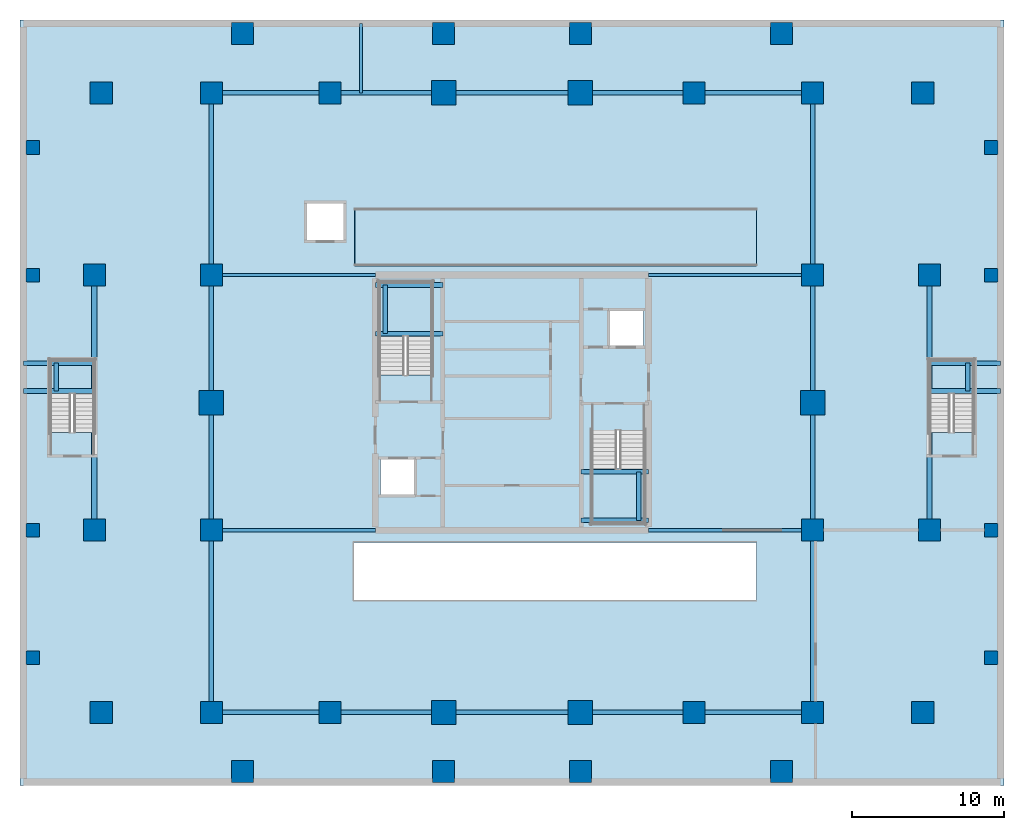
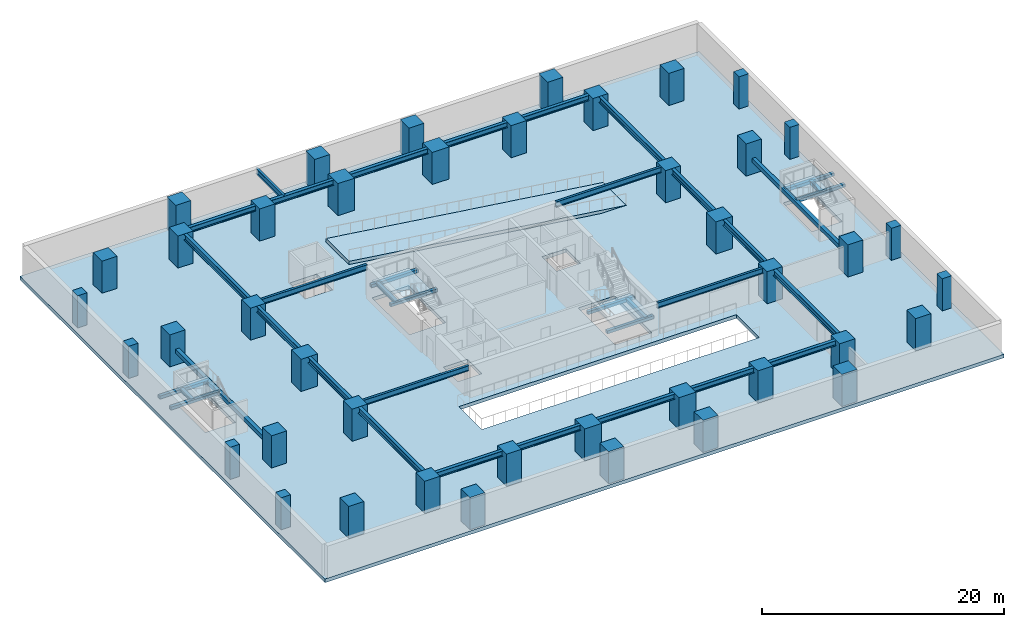
# One storey, part 1 of 10: 42 columns, 37 beams, 6 slabs, 4 elements without a shape of their own.
"""IFC4 building model written with IfcOpenShell, lengths in metres."""

from ifc_helpers import new_model, si_unit, direction, frame, origin, origin_2d, place, context, subcontext, project, spatial, polyline, rectangle, i_section, outline, extrude, source, transform, mapped, material, layer, layer_set, material_profile, profile_set, type_object, element, aggregate, save


model = new_model("IFC4")

# Units and contexts
model_context = context("Model", 3, precision=1e-05, world=origin(), true_north=direction((0.0, 1.0)))
body_context = subcontext(model_context, "Body", "Model", "MODEL_VIEW")
ifc_project = project(units=[si_unit("LENGTHUNIT", "METRE"), si_unit("AREAUNIT", "SQUARE_METRE"), si_unit("VOLUMEUNIT", "CUBIC_METRE"), si_unit("PLANEANGLEUNIT", "RADIAN"), si_unit("MASSUNIT", "GRAM", prefix="KILO")], contexts=[model_context])

# Site, building, storey
site_placement = place(None, origin())
site = spatial("IfcSite", under=ifc_project, at=site_placement, CompositionType="ELEMENT")
building_placement = place(site_placement, origin())
building = spatial("IfcBuilding", under=site, at=building_placement, Name="Serunith Strait Residences", CompositionType="ELEMENT")
storey_placement = place(building_placement, frame((0.0, 0.0, -7.199951171875)))
storey = spatial("IfcBuildingStorey", under=building, at=storey_placement, Name="B02", CompositionType="ELEMENT", Elevation=-7.199951171875)

# Columns
ifc_material_1 = material(Name="Concrete C70/85", Category="concrete")
ifc_material_profile_1 = material_profile(ifc_material_1, rectangle(XDim=0.89990234375, YDim=0.89990234375, at=origin_2d()), Name="RC 900x900")
ifc_profile_set_1 = profile_set([ifc_material_profile_1], Name="Concrete C70/85")
column_type_1 = type_object("IfcColumnType", Name="COL-RC-900", PredefinedType="COLUMN", material=ifc_profile_set_1)
shared_shape_1 = source(origin(), body_context, "Body", "SweptSolid", [
    extrude(rectangle(XDim=0.89990234375, YDim=0.89990234375, at=origin_2d()), origin(), (0.0, 0.0, 1.0), 3.60009765625),
])
for number, where, z_axis, x_axis, name in (
    (1, (0.85009765625, 8.39990234375, -0.360107421875), (0.0, 0.0, 1.0), (1.0, 0.0, 0.0), "B02 Podium Column PC-W1"),
    (2, (0.85009765625, 16.800048828125, -0.360107421875), (0.0, 0.0, 1.0), (1.0, 0.0, 0.0), "B02 Podium Column PC-W2"),
    (3, (0.85009765625, 33.60009765625, -0.360107421875), (0.0, 0.0, 1.0), (1.0, 0.0, 0.0), "B02 Podium Column PC-W3"),
    (4, (0.85009765625, 42.0, -0.360107421875), (0.0, 0.0, 1.0), (1.0, 0.0, 0.0), "B02 Podium Column PC-W4"),
    (5, (63.949951171875, 8.39990234375, -0.360107421875), (0.0, 0.0, 1.0), (1.0, 0.0, 0.0), "B02 Podium Column PC-E1"),
    (6, (63.949951171875, 16.800048828125, -0.360107421875), (0.0, 0.0, 1.0), (1.0, 0.0, 0.0), "B02 Podium Column PC-E2"),
    (7, (63.949951171875, 33.60009765625, -0.360107421875), (0.0, 0.0, 1.0), (1.0, 0.0, 0.0), "B02 Podium Column PC-E3"),
    (8, (63.949951171875, 42.0, -0.360107421875), (0.0, 0.0, 1.0), (1.0, 0.0, 0.0), "B02 Podium Column PC-E4"),
):
    element("IfcColumn", number, at=place(storey_placement, frame(where, z_axis=z_axis, x_axis=x_axis)), inside=storey, type_object=column_type_1, Name=name, PredefinedType="COLUMN", context=body_context, shape_type="MappedRepresentation", body=[
        mapped(shared_shape_1, transform((0.0, 0.0, 0.0), scale=1.0)),
    ])
ifc_material_2 = material(Name="Concrete C90/105", Category="concrete")
ifc_material_profile_2 = material_profile(ifc_material_2, rectangle(XDim=1.449951171875, YDim=1.449951171875, at=origin_2d()), Name="RC 1450x1450")
ifc_profile_set_2 = profile_set([ifc_material_profile_2], Name="Concrete C90/105")
column_type_2 = type_object("IfcColumnType", Name="COL-RC-1450", PredefinedType="COLUMN", material=ifc_profile_set_2)
shared_shape_2 = source(origin(), body_context, "Body", "SweptSolid", [
    extrude(rectangle(XDim=1.449951171875, YDim=1.449951171875, at=origin_2d()), origin(), (0.0, 0.0, 1.0), 3.60009765625),
])
for number, where, z_axis, x_axis, name in (
    (9, (12.60009765625, 4.800048828125, -0.360107421875), (0.0, 0.0, 1.0), (1.0, 0.0, 0.0), "B02 Podium Column PC-S1"),
    (10, (20.39990234375, 4.800048828125, -0.360107421875), (0.0, 0.0, 1.0), (1.0, 0.0, 0.0), "B02 Podium Column PC-S2"),
    (11, (44.39990234375, 4.800048828125, -0.360107421875), (0.0, 0.0, 1.0), (1.0, 0.0, 0.0), "B02 Podium Column PC-S5"),
    (12, (52.199951171875, 4.800048828125, -0.360107421875), (0.0, 0.0, 1.0), (1.0, 0.0, 0.0), "B02 Podium Column PC-S6"),
    (13, (12.60009765625, 45.60009765625, -0.360107421875), (0.0, 0.0, 1.0), (1.0, 0.0, 0.0), "B02 Podium Column PC-N1"),
    (14, (20.39990234375, 45.60009765625, -0.360107421875), (0.0, 0.0, 1.0), (1.0, 0.0, 0.0), "B02 Podium Column PC-N2"),
    (15, (44.39990234375, 45.60009765625, -0.360107421875), (0.0, 0.0, 1.0), (1.0, 0.0, 0.0), "B02 Podium Column PC-N5"),
    (16, (52.199951171875, 45.60009765625, -0.360107421875), (0.0, 0.0, 1.0), (1.0, 0.0, 0.0), "B02 Podium Column PC-N6"),
    (17, (12.60009765625, 16.800048828125, -0.360107421875), (0.0, 0.0, 1.0), (1.0, 0.0, 0.0), "B02 Podium Column PC-MW1"),
    (18, (12.60009765625, 33.60009765625, -0.360107421875), (0.0, 0.0, 1.0), (1.0, 0.0, 0.0), "B02 Podium Column PC-MW3"),
    (19, (52.199951171875, 16.800048828125, -0.360107421875), (0.0, 0.0, 1.0), (1.0, 0.0, 0.0), "B02 Podium Column PC-ME1"),
    (20, (52.199951171875, 33.60009765625, -0.360107421875), (0.0, 0.0, 1.0), (1.0, 0.0, 0.0), "B02 Podium Column PC-ME3"),
    (21, (14.64990234375, 0.89990234375, -0.360107421875), (0.0, 0.0, 1.0), (1.0, 0.0, 0.0), "B02 Podium Column PC-RS1"),
    (22, (27.89990234375, 0.89990234375, -0.360107421875), (0.0, 0.0, 1.0), (1.0, 0.0, 0.0), "B02 Podium Column PC-RS2"),
    (23, (36.89990234375, 0.89990234375, -0.360107421875), (0.0, 0.0, 1.0), (1.0, 0.0, 0.0), "B02 Podium Column PC-RS3"),
    (24, (50.14990234375, 0.89990234375, -0.360107421875), (0.0, 0.0, 1.0), (1.0, 0.0, 0.0), "B02 Podium Column PC-RS4"),
    (25, (14.64990234375, 49.5, -0.360107421875), (0.0, 0.0, 1.0), (1.0, 0.0, 0.0), "B02 Podium Column PC-RN1"),
    (26, (27.89990234375, 49.5, -0.360107421875), (0.0, 0.0, 1.0), (1.0, 0.0, 0.0), "B02 Podium Column PC-RN2"),
    (27, (36.89990234375, 49.5, -0.360107421875), (0.0, 0.0, 1.0), (1.0, 0.0, 0.0), "B02 Podium Column PC-RN3"),
    (28, (50.14990234375, 49.5, -0.360107421875), (0.0, 0.0, 1.0), (1.0, 0.0, 0.0), "B02 Podium Column PC-RN4"),
    (29, (4.89990234375, 16.800048828125, -0.360107421875), (0.0, 0.0, 1.0), (1.0, 0.0, 0.0), "B02 Podium Column PC-RW1"),
    (30, (4.89990234375, 33.60009765625, -0.360107421875), (0.0, 0.0, 1.0), (1.0, 0.0, 0.0), "B02 Podium Column PC-RW2"),
    (31, (59.89990234375, 16.800048828125, -0.360107421875), (0.0, 0.0, 1.0), (1.0, 0.0, 0.0), "B02 Podium Column PC-RE1"),
    (32, (59.89990234375, 33.60009765625, -0.360107421875), (0.0, 0.0, 1.0), (1.0, 0.0, 0.0), "B02 Podium Column PC-RE2"),
    (33, (5.35009765625, 4.800048828125, -0.360107421875), (0.0, 0.0, 1.0), (1.0, 0.0, 0.0), "B02 Podium Column PC-RWS"),
    (34, (5.35009765625, 45.60009765625, -0.360107421875), (0.0, 0.0, 1.0), (1.0, 0.0, 0.0), "B02 Podium Column PC-RWN"),
    (35, (59.449951171875, 4.800048828125, -0.360107421875), (0.0, 0.0, 1.0), (1.0, 0.0, 0.0), "B02 Podium Column PC-RES"),
    (36, (59.449951171875, 45.60009765625, -0.360107421875), (0.0, 0.0, 1.0), (1.0, 0.0, 0.0), "B02 Podium Column PC-REN"),
):
    element("IfcColumn", number, at=place(storey_placement, frame(where, z_axis=z_axis, x_axis=x_axis)), inside=storey, type_object=column_type_2, Name=name, PredefinedType="COLUMN", context=body_context, shape_type="MappedRepresentation", body=[
        mapped(shared_shape_2, transform((0.0, 0.0, 0.0), scale=1.0)),
    ])
ifc_material_profile_3 = material_profile(ifc_material_2, rectangle(XDim=1.60009765625, YDim=1.60009765625, at=origin_2d()), Name="RC 1600x1600")
ifc_profile_set_3 = profile_set([ifc_material_profile_3], Name="Concrete C90/105")
column_type_3 = type_object("IfcColumnType", Name="COL-RC-1600", PredefinedType="COLUMN", material=ifc_profile_set_3)
shared_shape_3 = source(origin(), body_context, "Body", "SweptSolid", [
    extrude(rectangle(XDim=1.60009765625, YDim=1.60009765625, at=origin_2d()), origin(), (0.0, 0.0, 1.0), 3.60009765625),
])
for number, where, z_axis, x_axis, name in (
    (37, (27.89990234375, 4.800048828125, -0.360107421875), (0.0, 0.0, 1.0), (1.0, 0.0, 0.0), "B02 Podium Column PC-S3"),
    (38, (36.89990234375, 4.800048828125, -0.360107421875), (0.0, 0.0, 1.0), (1.0, 0.0, 0.0), "B02 Podium Column PC-S4"),
    (39, (27.89990234375, 45.60009765625, -0.360107421875), (0.0, 0.0, 1.0), (1.0, 0.0, 0.0), "B02 Podium Column PC-N3"),
    (40, (36.89990234375, 45.60009765625, -0.360107421875), (0.0, 0.0, 1.0), (1.0, 0.0, 0.0), "B02 Podium Column PC-N4"),
    (41, (12.60009765625, 25.199951171875, -0.360107421875), (0.0, 0.0, 1.0), (1.0, 0.0, 0.0), "B02 Podium Column PC-MW2"),
    (42, (52.199951171875, 25.199951171875, -0.360107421875), (0.0, 0.0, 1.0), (1.0, 0.0, 0.0), "B02 Podium Column PC-ME2"),
):
    element("IfcColumn", number, at=place(storey_placement, frame(where, z_axis=z_axis, x_axis=x_axis)), inside=storey, type_object=column_type_3, Name=name, PredefinedType="COLUMN", context=body_context, shape_type="MappedRepresentation", body=[
        mapped(shared_shape_3, transform((0.0, 0.0, 0.0), scale=1.0)),
    ])

# Beams
ifc_material_3 = material(Name="Steel S355J2", Category="steel")
ifc_material_profile_4 = material_profile(ifc_material_3, i_section(OverallWidth=0.300048828125, OverallDepth=0.550048828125, WebThickness=0.014892578125, FlangeThickness=0.029052734375, FilletRadius=0.027099609375, at=origin_2d()), Name="HEB 550")
ifc_profile_set_4 = profile_set([ifc_material_profile_4], Name="Steel S355J2")
beam_type_1 = type_object("IfcBeamType", Name="BM-HEB550", PredefinedType="BEAM", material=ifc_profile_set_4)
shared_shape_4 = source(origin(), body_context, "Body", "SweptSolid", [
    extrude(i_section(OverallWidth=0.300048828125, OverallDepth=0.550048828125, WebThickness=0.014892578125, FlangeThickness=0.029052734375, FilletRadius=0.027099609375, at=origin_2d()), origin(), (0.0, 0.0, 1.0), 7.7998046875),
])
for number, where, z_axis, x_axis, name in (
    (43, (12.60009765625, 4.800048828125, 2.9619140625), (1.0, 0.0, 0.0), (0.0, 1.0, 0.0), "BM-B02-01"),
    (44, (12.60009765625, 45.60009765625, 2.9619140625), (1.0, 0.0, 0.0), (0.0, 1.0, 0.0), "BM-B02-06"),
):
    element("IfcBeam", number, at=place(storey_placement, frame(where, z_axis=z_axis, x_axis=x_axis)), inside=storey, type_object=beam_type_1, Name=name, PredefinedType="BEAM", context=body_context, shape_type="MappedRepresentation", body=[
        mapped(shared_shape_4, transform((0.0, 0.0, 0.0), scale=1.0)),
    ])
shared_shape_5 = source(origin(), body_context, "Body", "SweptSolid", [
    extrude(i_section(OverallWidth=0.300048828125, OverallDepth=0.550048828125, WebThickness=0.014892578125, FlangeThickness=0.029052734375, FilletRadius=0.027099609375, at=origin_2d()), origin(), (0.0, 0.0, 1.0), 7.5),
])
for number, where, z_axis, x_axis, name in (
    (45, (20.39990234375, 4.800048828125, 2.9619140625), (1.0, 0.0, 0.0), (0.0, 1.0, 0.0), "BM-B02-02"),
    (46, (36.89990234375, 4.800048828125, 2.9619140625), (1.0, 0.0, 0.0), (0.0, 1.0, 0.0), "BM-B02-04"),
    (47, (20.39990234375, 45.60009765625, 2.9619140625), (1.0, 0.0, 0.0), (0.0, 1.0, 0.0), "BM-B02-07"),
    (48, (36.89990234375, 45.60009765625, 2.9619140625), (1.0, 0.0, 0.0), (0.0, 1.0, 0.0), "BM-B02-09"),
):
    element("IfcBeam", number, at=place(storey_placement, frame(where, z_axis=z_axis, x_axis=x_axis)), inside=storey, type_object=beam_type_1, Name=name, PredefinedType="BEAM", context=body_context, shape_type="MappedRepresentation", body=[
        mapped(shared_shape_5, transform((0.0, 0.0, 0.0), scale=1.0)),
    ])
shared_shape_6 = source(origin(), body_context, "Body", "SweptSolid", [
    extrude(i_section(OverallWidth=0.300048828125, OverallDepth=0.550048828125, WebThickness=0.014892578125, FlangeThickness=0.029052734375, FilletRadius=0.027099609375, at=origin_2d()), origin(), (0.0, 0.0, 1.0), 9.0),
])
for number, where, z_axis, x_axis, name in (
    (49, (27.89990234375, 4.800048828125, 2.9619140625), (1.0, 0.0, 0.0), (0.0, 1.0, 0.0), "BM-B02-03"),
    (50, (27.89990234375, 45.60009765625, 2.9619140625), (1.0, 0.0, 0.0), (0.0, 1.0, 0.0), "BM-B02-08"),
):
    element("IfcBeam", number, at=place(storey_placement, frame(where, z_axis=z_axis, x_axis=x_axis)), inside=storey, type_object=beam_type_1, Name=name, PredefinedType="BEAM", context=body_context, shape_type="MappedRepresentation", body=[
        mapped(shared_shape_6, transform((0.0, 0.0, 0.0), scale=1.0)),
    ])
shared_shape_7 = source(origin(), body_context, "Body", "SweptSolid", [
    extrude(i_section(OverallWidth=0.300048828125, OverallDepth=0.550048828125, WebThickness=0.014892578125, FlangeThickness=0.029052734375, FilletRadius=0.027099609375, at=origin_2d()), origin(), (0.0, 0.0, 1.0), 7.800048828125),
])
for number, where, z_axis, x_axis, name in (
    (51, (44.39990234375, 4.800048828125, 2.9619140625), (1.0, 0.0, 0.0), (0.0, 1.0, 0.0), "BM-B02-05"),
    (52, (44.39990234375, 45.60009765625, 2.9619140625), (1.0, 0.0, 0.0), (0.0, 1.0, 0.0), "BM-B02-10"),
):
    element("IfcBeam", number, at=place(storey_placement, frame(where, z_axis=z_axis, x_axis=x_axis)), inside=storey, type_object=beam_type_1, Name=name, PredefinedType="BEAM", context=body_context, shape_type="MappedRepresentation", body=[
        mapped(shared_shape_7, transform((0.0, 0.0, 0.0), scale=1.0)),
    ])
ifc_material_profile_5 = material_profile(ifc_material_3, i_section(OverallWidth=0.300048828125, OverallDepth=0.60009765625, WebThickness=0.015380859375, FlangeThickness=0.030029296875, FilletRadius=0.027099609375, at=origin_2d()), Name="HEB 600")
ifc_profile_set_5 = profile_set([ifc_material_profile_5], Name="Steel S355J2")
beam_type_2 = type_object("IfcBeamType", Name="BM-HEB600", PredefinedType="BEAM", material=ifc_profile_set_5)
shared_shape_8 = source(origin(), body_context, "Body", "SweptSolid", [
    extrude(i_section(OverallWidth=0.300048828125, OverallDepth=0.60009765625, WebThickness=0.015380859375, FlangeThickness=0.030029296875, FilletRadius=0.027099609375, at=origin_2d()), origin(), (0.0, 0.0, 1.0), 12.0),
])
for number, where, z_axis, x_axis, name in (
    (53, (12.60009765625, 4.800048828125, 2.93701171875), (0.0, 1.0, 0.0), (-1.0, 0.0, 0.0), "BM-B02-11"),
    (54, (12.60009765625, 33.60009765625, 2.93701171875), (0.0, 1.0, 0.0), (-1.0, 0.0, 0.0), "BM-B02-14"),
    (55, (52.199951171875, 4.800048828125, 2.93701171875), (0.0, 1.0, 0.0), (-1.0, 0.0, 0.0), "BM-B02-15"),
    (56, (52.199951171875, 33.60009765625, 2.93701171875), (0.0, 1.0, 0.0), (-1.0, 0.0, 0.0), "BM-B02-18"),
):
    element("IfcBeam", number, at=place(storey_placement, frame(where, z_axis=z_axis, x_axis=x_axis)), inside=storey, type_object=beam_type_2, Name=name, PredefinedType="BEAM", context=body_context, shape_type="MappedRepresentation", body=[
        mapped(shared_shape_8, transform((0.0, 0.0, 0.0), scale=1.0)),
    ])
shared_shape_9 = source(origin(), body_context, "Body", "SweptSolid", [
    extrude(i_section(OverallWidth=0.300048828125, OverallDepth=0.60009765625, WebThickness=0.015380859375, FlangeThickness=0.030029296875, FilletRadius=0.027099609375, at=origin_2d()), origin(), (0.0, 0.0, 1.0), 8.39990234375),
])
for number, where, z_axis, x_axis, name in (
    (57, (12.60009765625, 16.800048828125, 2.93701171875), (0.0, 1.0, 0.0), (-1.0, 0.0, 0.0), "BM-B02-12"),
    (58, (52.199951171875, 16.800048828125, 2.93701171875), (0.0, 1.0, 0.0), (-1.0, 0.0, 0.0), "BM-B02-16"),
):
    element("IfcBeam", number, at=place(storey_placement, frame(where, z_axis=z_axis, x_axis=x_axis)), inside=storey, type_object=beam_type_2, Name=name, PredefinedType="BEAM", context=body_context, shape_type="MappedRepresentation", body=[
        mapped(shared_shape_9, transform((0.0, 0.0, 0.0), scale=1.0)),
    ])
shared_shape_10 = source(origin(), body_context, "Body", "SweptSolid", [
    extrude(i_section(OverallWidth=0.300048828125, OverallDepth=0.60009765625, WebThickness=0.015380859375, FlangeThickness=0.030029296875, FilletRadius=0.027099609375, at=origin_2d()), origin(), (0.0, 0.0, 1.0), 8.400146484375),
])
for number, where, z_axis, x_axis, name in (
    (59, (12.60009765625, 25.199951171875, 2.93701171875), (0.0, 1.0, 0.0), (-1.0, 0.0, 0.0), "BM-B02-13"),
    (60, (52.199951171875, 25.199951171875, 2.93701171875), (0.0, 1.0, 0.0), (-1.0, 0.0, 0.0), "BM-B02-17"),
):
    element("IfcBeam", number, at=place(storey_placement, frame(where, z_axis=z_axis, x_axis=x_axis)), inside=storey, type_object=beam_type_2, Name=name, PredefinedType="BEAM", context=body_context, shape_type="MappedRepresentation", body=[
        mapped(shared_shape_10, transform((0.0, 0.0, 0.0), scale=1.0)),
    ])
ifc_material_profile_6 = material_profile(ifc_material_3, i_section(OverallWidth=0.2099609375, OverallDepth=0.550048828125, WebThickness=0.010986328125, FlangeThickness=0.01708984375, FilletRadius=0.02392578125, at=origin_2d()), Name="IPE 550")
ifc_profile_set_6 = profile_set([ifc_material_profile_6], Name="Steel S355J2")
beam_type_3 = type_object("IfcBeamType", Name="BM-IPE550", PredefinedType="BEAM", material=ifc_profile_set_6)
shared_shape_11 = source(origin(), body_context, "Body", "SweptSolid", [
    extrude(i_section(OverallWidth=0.2099609375, OverallDepth=0.550048828125, WebThickness=0.010986328125, FlangeThickness=0.01708984375, FilletRadius=0.02392578125, at=origin_2d()), origin(), (0.0, 0.0, 1.0), 10.7998046875),
])
for number, where, z_axis, x_axis, name in (
    (61, (12.60009765625, 16.800048828125, 2.9619140625), (1.0, 0.0, 0.0), (0.0, 1.0, 0.0), "BM-B02-19"),
    (62, (12.60009765625, 33.60009765625, 2.9619140625), (1.0, 0.0, 0.0), (0.0, 1.0, 0.0), "BM-B02-21"),
):
    element("IfcBeam", number, at=place(storey_placement, frame(where, z_axis=z_axis, x_axis=x_axis)), inside=storey, type_object=beam_type_3, Name=name, PredefinedType="BEAM", context=body_context, shape_type="MappedRepresentation", body=[
        mapped(shared_shape_11, transform((0.0, 0.0, 0.0), scale=1.0)),
    ])
shared_shape_12 = source(origin(), body_context, "Body", "SweptSolid", [
    extrude(i_section(OverallWidth=0.2099609375, OverallDepth=0.550048828125, WebThickness=0.010986328125, FlangeThickness=0.01708984375, FilletRadius=0.02392578125, at=origin_2d()), origin(), (0.0, 0.0, 1.0), 10.800048828125),
])
for number, where, z_axis, x_axis, name in (
    (63, (41.39990234375, 16.800048828125, 2.9619140625), (1.0, 0.0, 0.0), (0.0, 1.0, 0.0), "BM-B02-20"),
    (64, (41.39990234375, 33.60009765625, 2.9619140625), (1.0, 0.0, 0.0), (0.0, 1.0, 0.0), "BM-B02-22"),
):
    element("IfcBeam", number, at=place(storey_placement, frame(where, z_axis=z_axis, x_axis=x_axis)), inside=storey, type_object=beam_type_3, Name=name, PredefinedType="BEAM", context=body_context, shape_type="MappedRepresentation", body=[
        mapped(shared_shape_12, transform((0.0, 0.0, 0.0), scale=1.0)),
    ])
shared_shape_13 = source(origin(), body_context, "Body", "SweptSolid", [
    extrude(i_section(OverallWidth=0.2099609375, OverallDepth=0.550048828125, WebThickness=0.010986328125, FlangeThickness=0.01708984375, FilletRadius=0.02392578125, at=origin_2d()), origin(), (0.0, 0.0, 1.0), 4.574951171875),
])
beam_placement = place(storey_placement, frame((22.449951171875, 45.60009765625, 2.9619140625), z_axis=(0.0, 1.0, 0.0), x_axis=(-1.0, 0.0, 0.0)))
element("IfcBeam", 65, at=beam_placement, inside=storey, type_object=beam_type_3, Name="BM-B02-23", PredefinedType="BEAM", context=body_context, shape_type="MappedRepresentation", body=[
    mapped(shared_shape_13, transform((0.0, 0.0, 0.0), scale=1.0)),
])
ifc_material_4 = material(Name="Concrete C60/75", Category="concrete")
ifc_material_profile_7 = material_profile(ifc_material_4, rectangle(XDim=0.300048828125, YDim=0.300048828125, at=origin_2d()), Name="RC 300x300")
ifc_profile_set_7 = profile_set([ifc_material_profile_7], Name="Concrete C60/75")
beam_type_4 = type_object("IfcBeamType", Name="BM-LAND-300x300", PredefinedType="BEAM", material=ifc_profile_set_7)
shared_shape_14 = source(origin(), body_context, "Body", "SweptSolid", [
    extrude(rectangle(XDim=0.300048828125, YDim=0.300048828125, at=origin_2d()), origin(), (0.0, 0.0, 1.0), 4.4501953125),
])
for number, where, z_axis, x_axis, name in (
    (66, (23.39990234375, 29.75, 1.449951171875), (1.0, 0.0, 0.0), (0.0, 1.0, 0.0), "B02 ST-1 Landing Support Beam 1"),
    (67, (23.39990234375, 32.949951171875, 1.449951171875), (1.0, 0.0, 0.0), (0.0, 1.0, 0.0), "B02 ST-1 Landing Support Beam 2"),
):
    element("IfcBeam", number, at=place(storey_placement, frame(where, z_axis=z_axis, x_axis=x_axis)), inside=storey, type_object=beam_type_4, Name=name, PredefinedType="BEAM", context=body_context, shape_type="MappedRepresentation", body=[
        mapped(shared_shape_14, transform((0.0, 0.0, 0.0), scale=1.0)),
    ])
shared_shape_15 = source(origin(), body_context, "Body", "SweptSolid", [
    extrude(rectangle(XDim=0.300048828125, YDim=0.300048828125, at=origin_2d()), origin(), (0.0, 0.0, 1.0), 3.199951171875),
])
for number, where, z_axis, x_axis, name in (
    (68, (24.050048828125, 29.75, 1.449951171875), (0.0, 1.0, 0.0), (-1.0, 0.0, 0.0), "B02 ST-1 Landing Transverse Tie Beam"),
    (69, (40.75, 17.449951171875, 1.449951171875), (0.0, 1.0, 0.0), (-1.0, 0.0, 0.0), "B02 ST-2 Landing Transverse Tie Beam"),
):
    element("IfcBeam", number, at=place(storey_placement, frame(where, z_axis=z_axis, x_axis=x_axis)), inside=storey, type_object=beam_type_4, Name=name, PredefinedType="BEAM", context=body_context, shape_type="MappedRepresentation", body=[
        mapped(shared_shape_15, transform((0.0, 0.0, 0.0), scale=1.0)),
    ])
shared_shape_16 = source(origin(), body_context, "Body", "SweptSolid", [
    extrude(rectangle(XDim=0.300048828125, YDim=0.300048828125, at=origin_2d()), origin(), (0.0, 0.0, 1.0), 4.449951171875),
])
for number, where, z_axis, x_axis, name in (
    (70, (36.949951171875, 17.449951171875, 1.449951171875), (1.0, 0.0, 0.0), (0.0, 1.0, 0.0), "B02 ST-2 Landing Support Beam 1"),
    (71, (36.949951171875, 20.64990234375, 1.449951171875), (1.0, 0.0, 0.0), (0.0, 1.0, 0.0), "B02 ST-2 Landing Support Beam 2"),
):
    element("IfcBeam", number, at=place(storey_placement, frame(where, z_axis=z_axis, x_axis=x_axis)), inside=storey, type_object=beam_type_4, Name=name, PredefinedType="BEAM", context=body_context, shape_type="MappedRepresentation", body=[
        mapped(shared_shape_16, transform((0.0, 0.0, 0.0), scale=1.0)),
    ])
ifc_material_profile_8 = material_profile(ifc_material_4, rectangle(XDim=0.35009765625, YDim=0.39990234375, at=origin_2d()), Name="RC 350x400")
ifc_profile_set_8 = profile_set([ifc_material_profile_8], Name="Concrete C60/75")
beam_type_5 = type_object("IfcBeamType", Name="BM-LAND-350x400", PredefinedType="BEAM", material=ifc_profile_set_8)
shared_shape_17 = source(origin(), body_context, "Body", "SweptSolid", [
    extrude(rectangle(XDim=0.35009765625, YDim=0.39990234375, at=origin_2d()), origin(), (0.0, 0.0, 1.0), 16.800048828125),
])
for number, where, z_axis, x_axis, name in (
    (72, (4.89990234375, 16.800048828125, 1.39990234375), (0.0, 1.0, 0.0), (-1.0, 0.0, 0.0), "B02 ST-5 Landing Trimmer Girder"),
    (73, (59.89990234375, 16.800048828125, 1.39990234375), (0.0, 1.0, 0.0), (-1.0, 0.0, 0.0), "B02 ST-6 Landing Trimmer Girder"),
):
    element("IfcBeam", number, at=place(storey_placement, frame(where, z_axis=z_axis, x_axis=x_axis)), inside=storey, type_object=beam_type_5, Name=name, PredefinedType="BEAM", context=body_context, shape_type="MappedRepresentation", body=[
        mapped(shared_shape_17, transform((0.0, 0.0, 0.0), scale=1.0)),
    ])
shared_shape_18 = source(origin(), body_context, "Body", "SweptSolid", [
    extrude(rectangle(XDim=0.300048828125, YDim=0.300048828125, at=origin_2d()), origin(), (0.0, 0.0, 1.0), 4.6748046875),
])
for number, where, z_axis, x_axis, name in (
    (74, (0.22509765625, 25.969970703125, 1.449951171875), (1.0, 0.0, 0.0), (0.0, 1.0, 0.0), "B02 ST-5 Landing Support Beam 1"),
    (75, (0.22509765625, 27.800048828125, 1.449951171875), (1.0, 0.0, 0.0), (0.0, 1.0, 0.0), "B02 ST-5 Landing Support Beam 2"),
):
    element("IfcBeam", number, at=place(storey_placement, frame(where, z_axis=z_axis, x_axis=x_axis)), inside=storey, type_object=beam_type_4, Name=name, PredefinedType="BEAM", context=body_context, shape_type="MappedRepresentation", body=[
        mapped(shared_shape_18, transform((0.0, 0.0, 0.0), scale=1.0)),
    ])
shared_shape_19 = source(origin(), body_context, "Body", "SweptSolid", [
    extrude(rectangle(XDim=0.300048828125, YDim=0.300048828125, at=origin_2d()), origin(), (0.0, 0.0, 1.0), 1.830078125),
])
for number, where, z_axis, x_axis, name in (
    (76, (2.39990234375, 25.969970703125, 1.449951171875), (0.0, 1.0, 0.0), (-1.0, 0.0, 0.0), "B02 ST-5 Landing Transverse Tie Beam"),
    (77, (62.39990234375, 25.969970703125, 1.449951171875), (0.0, 1.0, 0.0), (-1.0, 0.0, 0.0), "B02 ST-6 Landing Transverse Tie Beam"),
):
    element("IfcBeam", number, at=place(storey_placement, frame(where, z_axis=z_axis, x_axis=x_axis)), inside=storey, type_object=beam_type_4, Name=name, PredefinedType="BEAM", context=body_context, shape_type="MappedRepresentation", body=[
        mapped(shared_shape_19, transform((0.0, 0.0, 0.0), scale=1.0)),
    ])
shared_shape_20 = source(origin(), body_context, "Body", "SweptSolid", [
    extrude(rectangle(XDim=0.300048828125, YDim=0.300048828125, at=origin_2d()), origin(), (0.0, 0.0, 1.0), 4.675048828125),
])
for number, where, z_axis, x_axis, name in (
    (78, (59.89990234375, 25.969970703125, 1.449951171875), (1.0, 0.0, 0.0), (0.0, 1.0, 0.0), "B02 ST-6 Landing Support Beam 1"),
    (79, (59.89990234375, 27.800048828125, 1.449951171875), (1.0, 0.0, 0.0), (0.0, 1.0, 0.0), "B02 ST-6 Landing Support Beam 2"),
):
    element("IfcBeam", number, at=place(storey_placement, frame(where, z_axis=z_axis, x_axis=x_axis)), inside=storey, type_object=beam_type_4, Name=name, PredefinedType="BEAM", context=body_context, shape_type="MappedRepresentation", body=[
        mapped(shared_shape_20, transform((0.0, 0.0, 0.0), scale=1.0)),
    ])

# Slab
ifc_material_5 = material(Name="Concrete C50/60", Category="concrete")
ifc_layer_1 = layer(ifc_material_5, 0.360107421875, Name="Concrete C50/60")
ifc_layer_set_1 = layer_set([ifc_layer_1], Name="Concrete C50/60")
slab_type_1 = type_object("IfcSlabType", Name="SLB-BSMT-360", PredefinedType="FLOOR", material=ifc_layer_set_1)
slab_1_placement = place(storey_placement, frame((0.0, 0.0, -0.360107421875)))
element("IfcSlab", 80, at=slab_1_placement, inside=storey, type_object=slab_type_1, Name="B02 Structural Floor Plate", PredefinedType="FLOOR", context=body_context, shape_type="SweptSolid", body=[
    extrude(outline(polyline([(0.0, 50.39990234375), (64.800048828125, 50.39990234375), (64.800048828125, 0.0), (0.0, 0.0), (0.0, 50.39990234375)]), holes=[polyline([(59.89990234375, 28.0), (59.89990234375, 23.25), (62.800048828125, 23.25), (62.800048828125, 28.0), (59.89990234375, 28.0)]), polyline([(48.5, 16.0), (22.0, 16.0), (22.0, 12.199951171875), (48.5, 12.199951171875), (48.5, 16.0)]), polyline([(48.5, 34.199951171875), (48.5, 38.0), (46.07275390625, 38.0), (46.07275390625, 34.199951171875), (48.5, 34.199951171875)]), polyline([(41.14990234375, 17.25), (41.14990234375, 23.3701171875), (37.64990234375, 23.3701171875), (37.64990234375, 17.25), (41.14990234375, 17.25)]), polyline([(41.050048828125, 31.25), (38.75, 31.25), (38.75, 28.85009765625), (41.050048828125, 28.85009765625), (41.050048828125, 31.25)]), polyline([(23.64990234375, 33.14990234375), (23.64990234375, 27.030029296875), (27.14990234375, 27.030029296875), (27.14990234375, 33.14990234375), (23.64990234375, 33.14990234375)]), polyline([(26.050048828125, 21.550048828125), (23.75, 21.550048828125), (23.75, 19.14990234375), (26.050048828125, 19.14990234375), (26.050048828125, 21.550048828125)]), polyline([(21.39990234375, 35.800048828125), (21.39990234375, 38.39990234375), (18.800048828125, 38.39990234375), (18.800048828125, 35.800048828125), (21.39990234375, 35.800048828125)]), polyline([(2.0, 28.0), (2.0, 23.25), (4.89990234375, 23.25), (4.89990234375, 28.0), (2.0, 28.0)])]), origin(), (0.0, 0.0, 1.0), 0.360107421875),
])

# Stair, slab
stair_type_1 = type_object("IfcStairType", Name="STR-CORE-1", PredefinedType="HALF_TURN_STAIR", material=ifc_material_5)
stair_1_placement = place(storey_placement, origin())
stair_1 = element("IfcStair", 81, at=stair_1_placement, inside=storey, type_object=stair_type_1, Name="B02 Protected Escape Stair ST-1", PredefinedType="HALF_TURN_STAIR")
ifc_layer_2 = layer(ifc_material_5, 0.199951171875, Name="Concrete C50/60")
ifc_layer_set_2 = layer_set([ifc_layer_2], Name="Concrete C50/60")
slab_type_2 = type_object("IfcSlabType", Name="SLB-LAND-200", PredefinedType="LANDING", material=ifc_layer_set_2)
slab_2_placement = place(storey_placement, frame((0.0, 0.0, 1.599853515625)))
slab_2 = element("IfcSlab", 82, at=slab_2_placement, type_object=slab_type_2, Name="ST-1 landing 1", PredefinedType="LANDING", context=body_context, shape_type="SweptSolid", body=[
    extrude(outline(polyline([(27.14990234375, 29.550048828125), (27.14990234375, 33.14990234375), (23.64990234375, 33.14990234375), (23.64990234375, 29.550048828125), (27.14990234375, 29.550048828125)])), origin(), (0.0, 0.0, 1.0), 0.2001953125),
])
aggregate(stair_1, [slab_2])

stair_type_2 = type_object("IfcStairType", Name="STR-CORE-2", PredefinedType="HALF_TURN_STAIR", material=ifc_material_5)
stair_2_placement = place(storey_placement, origin())
stair_2 = element("IfcStair", 83, at=stair_2_placement, inside=storey, type_object=stair_type_2, Name="B02 Protected Escape Stair ST-2", PredefinedType="HALF_TURN_STAIR")
slab_3_placement = place(storey_placement, frame((0.0, 0.0, 1.599853515625)))
slab_3 = element("IfcSlab", 84, at=slab_3_placement, type_object=slab_type_2, Name="ST-2 landing 1", PredefinedType="LANDING", context=body_context, shape_type="SweptSolid", body=[
    extrude(outline(polyline([(37.64990234375, 20.85009765625), (37.64990234375, 17.25), (41.14990234375, 17.25), (41.14990234375, 20.85009765625), (37.64990234375, 20.85009765625)])), origin(), (0.0, 0.0, 1.0), 0.2001953125),
])
aggregate(stair_2, [slab_3])

stair_type_3 = type_object("IfcStairType", Name="STR-BSMT-5", PredefinedType="HALF_TURN_STAIR", material=ifc_material_5)
stair_3_placement = place(storey_placement, origin())
stair_3 = element("IfcStair", 85, at=stair_3_placement, inside=storey, type_object=stair_type_3, Name="B02 Basement Escape Stair ST-5", PredefinedType="HALF_TURN_STAIR")
slab_4_placement = place(storey_placement, frame((0.0, 0.0, 1.599853515625)))
slab_4 = element("IfcSlab", 86, at=slab_4_placement, type_object=slab_type_2, Name="ST-5 landing 1", PredefinedType="LANDING", context=body_context, shape_type="SweptSolid", body=[
    extrude(outline(polyline([(4.89990234375, 25.77001953125), (4.89990234375, 28.0), (2.0, 28.0), (2.0, 25.77001953125), (4.89990234375, 25.77001953125)])), origin(), (0.0, 0.0, 1.0), 0.2001953125),
])
aggregate(stair_3, [slab_4])

stair_type_4 = type_object("IfcStairType", Name="STR-BSMT-6", PredefinedType="HALF_TURN_STAIR", material=ifc_material_5)
stair_4_placement = place(storey_placement, origin())
stair_4 = element("IfcStair", 87, at=stair_4_placement, inside=storey, type_object=stair_type_4, Name="B02 Basement Escape Stair ST-6", PredefinedType="HALF_TURN_STAIR")
slab_5_placement = place(storey_placement, frame((0.0, 0.0, 1.599853515625)))
slab_5 = element("IfcSlab", 88, at=slab_5_placement, type_object=slab_type_2, Name="ST-6 landing 1", PredefinedType="LANDING", context=body_context, shape_type="SweptSolid", body=[
    extrude(outline(polyline([(62.800048828125, 25.77001953125), (62.800048828125, 28.0), (59.89990234375, 28.0), (59.89990234375, 25.77001953125), (62.800048828125, 25.77001953125)])), origin(), (0.0, 0.0, 1.0), 0.2001953125),
])
aggregate(stair_4, [slab_5])

# Slab
ifc_layer_3 = layer(ifc_material_5, 0.320068359375, Name="Concrete C50/60")
ifc_layer_set_3 = layer_set([ifc_layer_3], Name="Concrete C50/60")
slab_type_3 = type_object("IfcSlabType", Name="SLB-RAMP-320", PredefinedType="FLOOR", material=ifc_layer_set_3)
slab_6_placement = place(storey_placement, frame((48.4951171875, 38.0, 0.0), z_axis=(0.13490620154, 0.0, 0.990858373728), x_axis=(-0.990858373728, 0.0, 0.13490620154)))
element("IfcSlab", 89, at=slab_6_placement, inside=storey, type_object=slab_type_3, Name="Car Park Two-Way Structural Vehicle Ramp Slab B02 to B01", PredefinedType="FLOOR", context=body_context, shape_type="SweptSolid", body=[
    extrude(outline(polyline([(0.0, 0.0), (26.684121815925202, 0.0), (26.684121815925202, 3.800048828125), (0.0, 3.800048828125), (0.0, 0.0)])), origin(), (0.0, 0.0, -1.0), 0.320068359375),
])

save(model, "model.ifc")
